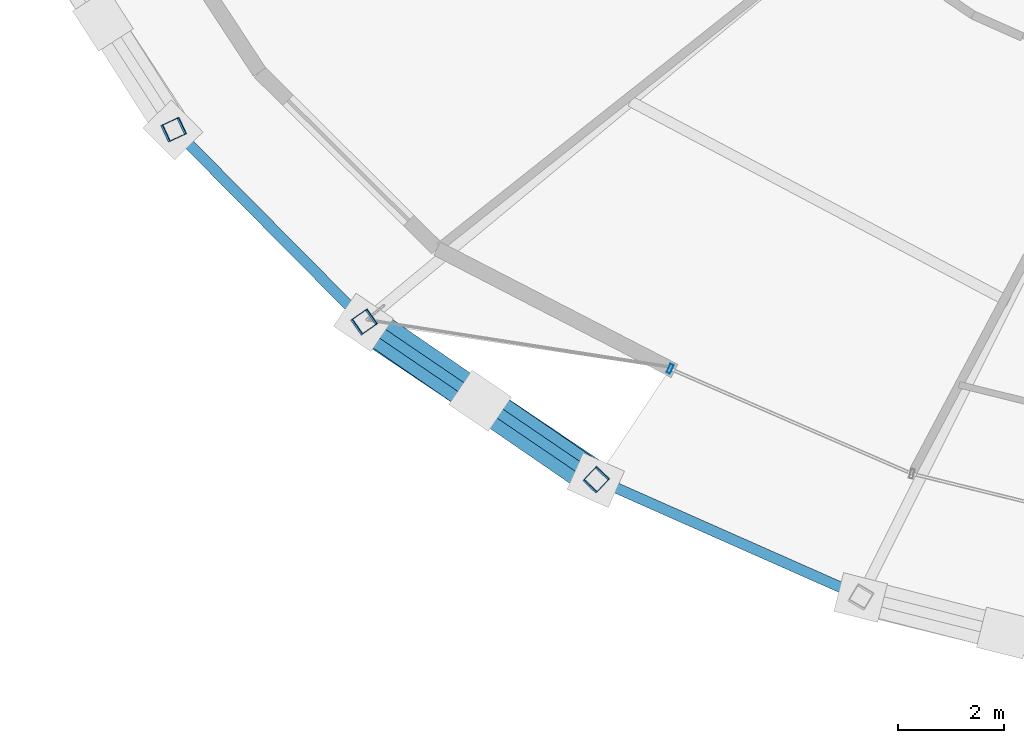
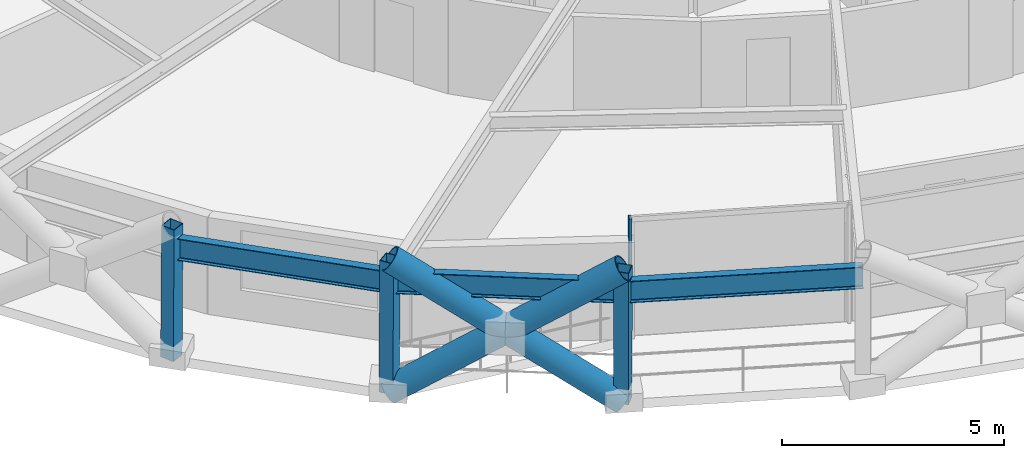
# One storey, part 1 of 23: 7 members, 3 beams, 1 element without a shape of its own.
"""IFC4 building model written with IfcOpenShell, lengths in metres."""

from ifc_helpers import new_model, si_unit, direction, frame, origin, origin_2d, place, context, subcontext, project, spatial, hollow_rectangle, hollow_circle, i_section, extrude, material, layer, layer_set, material_profile, profile_set, type_object, element, aggregate, save


model = new_model("IFC4")

# Units and contexts
model_context = context("Model", 3, precision=1e-05, world=origin(), true_north=direction((0.0, 1.0)))
body_context = subcontext(model_context, "Body", "Model", "MODEL_VIEW")
ifc_project = project(units=[si_unit("LENGTHUNIT", "METRE"), si_unit("AREAUNIT", "SQUARE_METRE"), si_unit("VOLUMEUNIT", "CUBIC_METRE"), si_unit("PLANEANGLEUNIT", "RADIAN"), si_unit("MASSUNIT", "GRAM", prefix="KILO")], contexts=[model_context])

# Site, building, storey
site_placement = place(None, origin())
site = spatial("IfcSite", under=ifc_project, at=site_placement, CompositionType="ELEMENT")
building_placement = place(site_placement, origin())
building = spatial("IfcBuilding", under=site, at=building_placement, Name="Veldorina Hangang Commons", CompositionType="ELEMENT")
storey_placement = place(building_placement, frame((0.0, 0.0, 102.39990234375)))
storey = spatial("IfcBuildingStorey", under=building, at=storey_placement, Name="L26", CompositionType="ELEMENT", Elevation=102.39990234375)

# Beams
ifc_material_1 = material(Name="Steel SM420-TMC", Category="steel")
ifc_material_profile_1 = material_profile(ifc_material_1, i_section(OverallWidth=0.199951171875, OverallDepth=0.60009765625, WebThickness=0.010986328125, FlangeThickness=0.01708984375, FilletRadius=0.01806640625, at=origin_2d()), Name="H-600x200x11x17")
ifc_profile_set_1 = profile_set([ifc_material_profile_1], Name="Steel SM420-TMC")
beam_type = type_object("IfcBeamType", Name="BM-RB600", PredefinedType="BEAM", material=ifc_profile_set_1)
beam_1_placement = place(storey_placement, frame((8.062744140625, 10.748291015625, 3.0), z_axis=(0.703739663075, -0.710457941482, 0.0), x_axis=(0.710457941482, 0.703739663075, 0.0)))
element("IfcBeam", 1, at=beam_1_placement, inside=storey, type_object=beam_type, Name="L26 perimeter hoop ring beam 19", PredefinedType="BEAM", context=body_context, shape_type="SweptSolid", body=[
    extrude(i_section(OverallWidth=0.199951171875, OverallDepth=0.60009765625, WebThickness=0.010986328125, FlangeThickness=0.01708984375, FilletRadius=0.01806640625, at=origin_2d()), origin(), (0.0, 0.0, 1.0), 5.087646484375),
])
beam_2_placement = place(storey_placement, frame((11.64306640625, 7.1337890625, 3.0), z_axis=(0.826946298933, -0.562280907271, 0.0), x_axis=(0.562280907271, 0.826946298933, 0.0)))
element("IfcBeam", 2, at=beam_2_placement, inside=storey, type_object=beam_type, Name="L26 perimeter hoop ring beam 20", PredefinedType="BEAM", context=body_context, shape_type="SweptSolid", body=[
    extrude(i_section(OverallWidth=0.199951171875, OverallDepth=0.60009765625, WebThickness=0.010986328125, FlangeThickness=0.01708984375, FilletRadius=0.01806640625, at=origin_2d()), origin(), (0.0, 0.0, 1.0), 5.275390625),
])
beam_3_placement = place(storey_placement, frame((16.005615234375, 4.16748046875, 3.0), z_axis=(0.914358166606, -0.404906338751, 0.0), x_axis=(0.404906338751, 0.914358166606, 0.0)))
element("IfcBeam", 3, at=beam_3_placement, inside=storey, type_object=beam_type, Name="L26 perimeter hoop ring beam 21", PredefinedType="BEAM", context=body_context, shape_type="SweptSolid", body=[
    extrude(i_section(OverallWidth=0.199951171875, OverallDepth=0.60009765625, WebThickness=0.010986328125, FlangeThickness=0.01708984375, FilletRadius=0.01806640625, at=origin_2d()), origin(), (0.0, 0.0, 1.0), 5.443603515625),
])

# Curtain wall, member
ifc_material_2 = material(Name="Glass Low-E Triple IGU", Category="glass")
ifc_layer = layer(ifc_material_2, 0.179931640625)
ifc_layer_set = layer_set([ifc_layer], Name="Glass Low-E Triple IGU")
curtain_wall_type = type_object("IfcCurtainWallType", Name="CW-SYS-Z1", PredefinedType="NOTDEFINED", material=ifc_layer_set)
curtain_wall_placement = place(storey_placement, origin())
curtain_wall = element("IfcCurtainWall", 4, at=curtain_wall_placement, inside=storey, type_object=curtain_wall_type, Name="L26 unitised curtain wall CW-L26-R1", PredefinedType="NOTDEFINED")
ifc_material_3 = material(Name="Aluminium Anodized AA6063-T6", Category="aluminium")
ifc_material_profile_2 = material_profile(ifc_material_3, hollow_rectangle(XDim=0.070068359375, YDim=0.179931640625, WallThickness=0.00390625, at=origin_2d()), Name="ALU-RHS-180x70x4")
ifc_profile_set_2 = profile_set([ifc_material_profile_2], Name="Aluminium Anodized AA6063-T6")
member_type_1 = type_object("IfcMemberType", Name="CW-MUL-180", PredefinedType="MULLION", material=ifc_profile_set_2)
member_1_placement = place(storey_placement, frame((17.388671875, 6.2451171875, 0.0), z_axis=(0.0, 0.0, 1.0), x_axis=(0.917345178415, -0.398092732462, 0.0)))
member_1 = element("IfcMember", 5, at=member_1_placement, type_object=member_type_1, Name="CW-L26-R1 vertical mullion 1", PredefinedType="MULLION", context=body_context, shape_type="SweptSolid", body=[
    extrude(hollow_rectangle(XDim=0.070068359375, YDim=0.179931640625, WallThickness=0.00390625, at=origin_2d()), origin(), (0.0, 0.0, 1.0), 3.260009765625),
])
aggregate(curtain_wall, [member_1])

# Members
ifc_material_4 = material(Name="Steel SM460-TMC", Category="steel")
ifc_material_profile_3 = material_profile(ifc_material_4, hollow_circle(Radius=0.324951171875, WallThickness=0.031982421875, at=origin_2d()), Name="CHS-650x32")
ifc_profile_set_3 = profile_set([ifc_material_profile_3], Name="Steel SM460-TMC")
member_type_2 = type_object("IfcMemberType", Name="DG-CHS650", PredefinedType="BRACE", material=ifc_profile_set_3)
member_2_placement = place(storey_placement, frame((11.62158203125, 7.11865234375, 0.0), z_axis=(0.686044551998, -0.460926043115, 0.562929885024), x_axis=(0.557681121807, 0.830055279111, 0.0)))
element("IfcMember", 6, at=member_2_placement, inside=storey, type_object=member_type_2, Name="L26 continuous perimeter diagrid brace 20", PredefinedType="BRACE", context=body_context, shape_type="SweptSolid", body=[
    extrude(hollow_circle(Radius=0.324951171875, WallThickness=0.031982421875, at=origin_2d()), origin(), (0.0, 0.0, 1.0), 6.395263671875),
])
member_3_placement = place(storey_placement, frame((15.98876953125, 4.149658203125, 0.0), z_axis=(-0.680254973164, 0.468005023124, 0.564113880184), x_axis=(-0.566799958163, -0.823855452993, 0.0)))
element("IfcMember", 7, at=member_3_placement, inside=storey, type_object=member_type_2, Name="L26 split perimeter diagrid lower brace 21", PredefinedType="BRACE", context=body_context, shape_type="SweptSolid", body=[
    extrude(hollow_circle(Radius=0.324951171875, WallThickness=0.031982421875, at=origin_2d()), origin(), (0.0, 0.0, 1.0), 3.193115234375),
])
member_4_placement = place(storey_placement, frame((13.816650390625, 5.64404296875, 1.80126953125), z_axis=(-0.680225795108, 0.468081092998, 0.564085949167), x_axis=(-0.566878985771, -0.823801077622, 0.0)))
element("IfcMember", 8, at=member_4_placement, inside=storey, type_object=member_type_2, Name="L26 split perimeter diagrid upper brace 21", PredefinedType="BRACE", context=body_context, shape_type="SweptSolid", body=[
    extrude(hollow_circle(Radius=0.324951171875, WallThickness=0.031982421875, at=origin_2d()), origin(), (0.0, 0.0, 1.0), 3.18896484375),
])
ifc_material_5 = material(Name="Steel SM355-TMC", Category="steel")
ifc_material_profile_4 = material_profile(ifc_material_5, hollow_rectangle(XDim=0.35009765625, YDim=0.35009765625, WallThickness=0.01611328125, at=origin_2d()), Name="SHS-350x350x16")
ifc_profile_set_4 = profile_set([ifc_material_profile_4], Name="Steel SM355-TMC")
member_type_3 = type_object("IfcMemberType", Name="STR-SHS350", PredefinedType="STRUT", material=ifc_profile_set_4)
for number, where, z_axis, x_axis, name in (
    (9, (8.037353515625, 10.736572265625, 0.0), (0.008476504975, 0.003933098308, 0.999956338847), (-0.420898081622, 0.90710793453, 0.0), "L26 perimeter ring node post 19"),
    (10, (11.62158203125, 7.11865234375, 0.0), (0.007188113851, 0.005018117217, 0.999961574021), (-0.572423567845, 0.81995808367, 0.0), "L26 perimeter ring node post 20"),
):
    element("IfcMember", number, at=place(storey_placement, frame(where, z_axis=z_axis, x_axis=x_axis)), inside=storey, type_object=member_type_3, Name=name, PredefinedType="STRUT", context=body_context, shape_type="SweptSolid", body=[
        extrude(hollow_rectangle(XDim=0.35009765625, YDim=0.35009765625, WallThickness=0.01611328125, at=origin_2d()), origin(), (0.0, 0.0, 1.0), 3.600341796875),
    ])
member_5_placement = place(storey_placement, frame((15.98876953125, 4.149658203125, 0.0), z_axis=(0.00562845794, 0.005899708925, 0.999966756395), x_axis=(-0.72354432643, 0.690277920617, 0.0)))
element("IfcMember", 11, at=member_5_placement, inside=storey, type_object=member_type_3, Name="L26 perimeter ring node post 21", PredefinedType="STRUT", context=body_context, shape_type="SweptSolid", body=[
    extrude(hollow_rectangle(XDim=0.35009765625, YDim=0.35009765625, WallThickness=0.01611328125, at=origin_2d()), origin(), (0.0, 0.0, 1.0), 3.60009765625),
])

save(model, "model.ifc")
